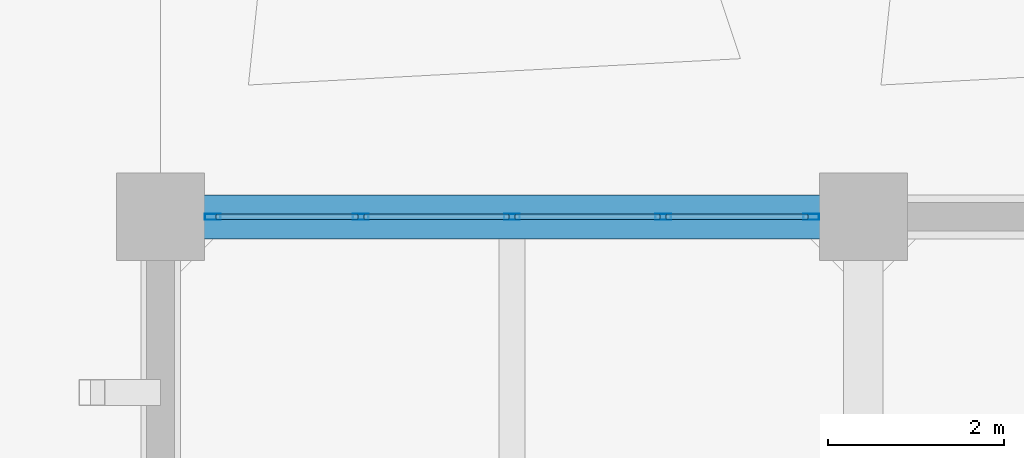
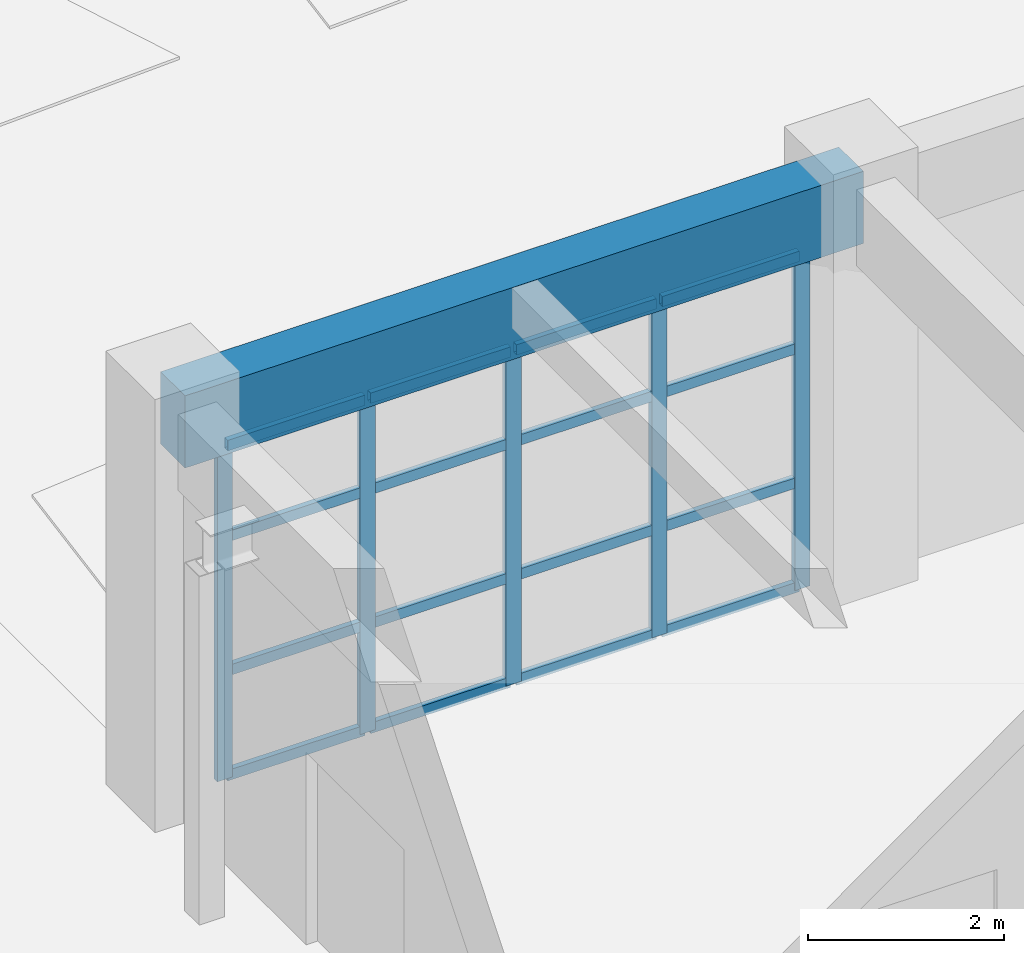
# One storey, part 52 of 90: 21 members, 1 beam, 1 element without a shape of its own.
"""IFC4 building model written with IfcOpenShell, lengths in metres."""

from ifc_helpers import new_model, si_unit, direction, frame, origin, origin_2d, place, context, subcontext, project, spatial, rectangle, hollow_rectangle, extrude, material, layer, layer_set, material_profile, profile_set, type_object, element, aggregate, save


model = new_model("IFC4")

# Units and contexts
model_context = context("Model", 3, precision=1e-05, world=origin(), true_north=direction((0.0, 1.0)))
body_context = subcontext(model_context, "Body", "Model", "MODEL_VIEW")
ifc_project = project(units=[si_unit("LENGTHUNIT", "METRE"), si_unit("AREAUNIT", "SQUARE_METRE"), si_unit("VOLUMEUNIT", "CUBIC_METRE"), si_unit("PLANEANGLEUNIT", "RADIAN"), si_unit("MASSUNIT", "GRAM", prefix="KILO")], contexts=[model_context])

# Site, building, storey
site_placement = place(None, origin())
site = spatial("IfcSite", under=ifc_project, at=site_placement, CompositionType="ELEMENT")
building_placement = place(site_placement, origin())
building = spatial("IfcBuilding", under=site, at=building_placement, Name="Canggui Botanical Conservatory", CompositionType="ELEMENT")
storey_placement = place(building_placement, origin())
storey = spatial("IfcBuildingStorey", under=building, at=storey_placement, Name="L01", CompositionType="ELEMENT", Elevation=0.0)

# Beam
ifc_material_1 = material(Name="Concrete C35", Category="concrete")
ifc_material_profile_1 = material_profile(ifc_material_1, rectangle(XDim=0.5, YDim=0.89990234375, at=origin_2d()), Name="RB 500x900")
ifc_profile_set_1 = profile_set([ifc_material_profile_1], Name="Concrete C35")
beam_type = type_object("IfcBeamType", Name="BM-KL03", PredefinedType="BEAM", material=ifc_profile_set_1)
beam_placement = place(storey_placement, frame((130.0, 82.0, 4.669921875), z_axis=(1.0, 0.0, 0.0), x_axis=(0.0, 1.0, 0.0)))
element("IfcBeam", 1, at=beam_placement, inside=storey, type_object=beam_type, Name="Frame Girder L01 Y82-1", PredefinedType="BEAM", context=body_context, shape_type="SweptSolid", body=[
    extrude(rectangle(XDim=0.5, YDim=0.89990234375, at=origin_2d()), origin(), (0.0, 0.0, 1.0), 8.0),
])

# Curtain wall, members
ifc_material_2 = material(Name="Thermally Broken Aluminium", Category="aluminium")
ifc_layer = layer(ifc_material_2, 0.179931640625, Name="Thermally Broken Aluminium", Category="aluminium")
ifc_layer_set = layer_set([ifc_layer], Name="Thermally Broken Aluminium")
curtain_wall_type = type_object("IfcCurtainWallType", Name="CW-UNIT-A", PredefinedType="USERDEFINED", material=ifc_layer_set)
curtain_wall_placement = place(storey_placement, origin())
curtain_wall = element("IfcCurtainWall", 2, at=curtain_wall_placement, inside=storey, type_object=curtain_wall_type, Name="Facade Curtain Wall CW-TWR-L01-11", ObjectType="UNITISED CURTAIN WALL", PredefinedType="USERDEFINED")
ifc_material_profile_2 = material_profile(ifc_material_2, hollow_rectangle(XDim=0.070068359375, YDim=0.179931640625, WallThickness=0.00390625, at=origin_2d()), Name="CWM 70x180x4")
ifc_profile_set_2 = profile_set([ifc_material_profile_2], Name="Thermally Broken Aluminium")
member_type_1 = type_object("IfcMemberType", Name="CWM-01", PredefinedType="MULLION", material=ifc_profile_set_2)
member_1_placement = place(storey_placement, frame((130.594970703125, 82.0, 0.0), z_axis=(0.0, 0.0, 1.0), x_axis=(0.0, 1.0, 0.0)))
member_1 = element("IfcMember", 3, at=member_1_placement, type_object=member_type_1, Name="CW-01 mullion 1", PredefinedType="MULLION", context=body_context, shape_type="SweptSolid", body=[
    extrude(hollow_rectangle(XDim=0.070068359375, YDim=0.179931640625, WallThickness=0.00390625, at=origin_2d()), origin(), (0.0, 0.0, 1.0), 4.179931640625),
])
member_2_placement = place(storey_placement, frame((132.280029296875, 82.0, 0.0), z_axis=(0.0, 0.0, 1.0), x_axis=(0.0, 1.0, 0.0)))
member_2 = element("IfcMember", 4, at=member_2_placement, type_object=member_type_1, Name="CW-01 mullion 2", PredefinedType="MULLION", context=body_context, shape_type="SweptSolid", body=[
    extrude(hollow_rectangle(XDim=0.070068359375, YDim=0.179931640625, WallThickness=0.00390625, at=origin_2d()), origin(), (0.0, 0.0, 1.0), 4.179931640625),
])
member_3_placement = place(storey_placement, frame((134.0, 82.0, 0.0), z_axis=(0.0, 0.0, 1.0), x_axis=(0.0, 1.0, 0.0)))
member_3 = element("IfcMember", 5, at=member_3_placement, type_object=member_type_1, Name="CW-01 mullion 3", PredefinedType="MULLION", context=body_context, shape_type="SweptSolid", body=[
    extrude(hollow_rectangle(XDim=0.070068359375, YDim=0.179931640625, WallThickness=0.00390625, at=origin_2d()), origin(), (0.0, 0.0, 1.0), 4.179931640625),
])
member_4_placement = place(storey_placement, frame((135.719970703125, 82.0, 0.0), z_axis=(0.0, 0.0, 1.0), x_axis=(0.0, 1.0, 0.0)))
member_4 = element("IfcMember", 6, at=member_4_placement, type_object=member_type_1, Name="CW-01 mullion 4", PredefinedType="MULLION", context=body_context, shape_type="SweptSolid", body=[
    extrude(hollow_rectangle(XDim=0.070068359375, YDim=0.179931640625, WallThickness=0.00390625, at=origin_2d()), origin(), (0.0, 0.0, 1.0), 4.179931640625),
])
member_5_placement = place(storey_placement, frame((137.405029296875, 82.0, 0.0), z_axis=(0.0, 0.0, 1.0), x_axis=(0.0, 1.0, 0.0)))
member_5 = element("IfcMember", 7, at=member_5_placement, type_object=member_type_1, Name="CW-01 mullion 5", PredefinedType="MULLION", context=body_context, shape_type="SweptSolid", body=[
    extrude(hollow_rectangle(XDim=0.070068359375, YDim=0.179931640625, WallThickness=0.00390625, at=origin_2d()), origin(), (0.0, 0.0, 1.0), 4.179931640625),
])
ifc_material_profile_3 = material_profile(ifc_material_2, hollow_rectangle(XDim=0.06494140625, YDim=0.1298828125, WallThickness=0.00341796875, at=origin_2d()), Name="CWT 65x130x3.5")
ifc_profile_set_3 = profile_set([ifc_material_profile_3], Name="Thermally Broken Aluminium")
member_type_2 = type_object("IfcMemberType", Name="CWT-01", PredefinedType="USERDEFINED", material=ifc_profile_set_3)
member_6_placement = place(storey_placement, frame((130.6298828125, 82.0, 0.032470703125), z_axis=(1.0, 0.0, 0.0), x_axis=(0.0, 1.0, 0.0)))
member_6 = element("IfcMember", 8, at=member_6_placement, type_object=member_type_2, Name="CW-01 transom 1.1", ObjectType="TRANSOM", PredefinedType="USERDEFINED", context=body_context, shape_type="SweptSolid", body=[
    extrude(hollow_rectangle(XDim=0.06494140625, YDim=0.1298828125, WallThickness=0.00341796875, at=origin_2d()), origin(), (0.0, 0.0, 1.0), 1.615234375),
])
member_7_placement = place(storey_placement, frame((130.6298828125, 82.0, 1.337646484375), z_axis=(1.0, 0.0, 0.0), x_axis=(0.0, 1.0, 0.0)))
member_7 = element("IfcMember", 9, at=member_7_placement, type_object=member_type_2, Name="CW-01 transom 1.2", ObjectType="TRANSOM", PredefinedType="USERDEFINED", context=body_context, shape_type="SweptSolid", body=[
    extrude(hollow_rectangle(XDim=0.06494140625, YDim=0.1298828125, WallThickness=0.00341796875, at=origin_2d()), origin(), (0.0, 0.0, 1.0), 1.615234375),
])
member_8_placement = place(storey_placement, frame((130.6298828125, 82.0, 3.009521484375), z_axis=(1.0, 0.0, 0.0), x_axis=(0.0, 1.0, 0.0)))
member_8 = element("IfcMember", 10, at=member_8_placement, type_object=member_type_2, Name="CW-01 transom 1.3", ObjectType="TRANSOM", PredefinedType="USERDEFINED", context=body_context, shape_type="SweptSolid", body=[
    extrude(hollow_rectangle(XDim=0.06494140625, YDim=0.1298828125, WallThickness=0.00341796875, at=origin_2d()), origin(), (0.0, 0.0, 1.0), 1.615234375),
])
member_9_placement = place(storey_placement, frame((130.6298828125, 82.0, 4.1474609375), z_axis=(1.0, 0.0, 0.0), x_axis=(0.0, 1.0, 0.0)))
member_9 = element("IfcMember", 11, at=member_9_placement, type_object=member_type_2, Name="CW-01 transom 1.4", ObjectType="TRANSOM", PredefinedType="USERDEFINED", context=body_context, shape_type="SweptSolid", body=[
    extrude(hollow_rectangle(XDim=0.06494140625, YDim=0.1298828125, WallThickness=0.00341796875, at=origin_2d()), origin(), (0.0, 0.0, 1.0), 1.615234375),
])
member_10_placement = place(storey_placement, frame((132.31494140625, 82.0, 0.032470703125), z_axis=(1.0, 0.0, 0.0), x_axis=(0.0, 1.0, 0.0)))
member_10 = element("IfcMember", 12, at=member_10_placement, type_object=member_type_2, Name="CW-01 transom 2.1", ObjectType="TRANSOM", PredefinedType="USERDEFINED", context=body_context, shape_type="SweptSolid", body=[
    extrude(hollow_rectangle(XDim=0.06494140625, YDim=0.1298828125, WallThickness=0.00341796875, at=origin_2d()), origin(), (0.0, 0.0, 1.0), 1.650146484375),
])
member_11_placement = place(storey_placement, frame((132.31494140625, 82.0, 1.337646484375), z_axis=(1.0, 0.0, 0.0), x_axis=(0.0, 1.0, 0.0)))
member_11 = element("IfcMember", 13, at=member_11_placement, type_object=member_type_2, Name="CW-01 transom 2.2", ObjectType="TRANSOM", PredefinedType="USERDEFINED", context=body_context, shape_type="SweptSolid", body=[
    extrude(hollow_rectangle(XDim=0.06494140625, YDim=0.1298828125, WallThickness=0.00341796875, at=origin_2d()), origin(), (0.0, 0.0, 1.0), 1.650146484375),
])
member_12_placement = place(storey_placement, frame((132.31494140625, 82.0, 3.009521484375), z_axis=(1.0, 0.0, 0.0), x_axis=(0.0, 1.0, 0.0)))
member_12 = element("IfcMember", 14, at=member_12_placement, type_object=member_type_2, Name="CW-01 transom 2.3", ObjectType="TRANSOM", PredefinedType="USERDEFINED", context=body_context, shape_type="SweptSolid", body=[
    extrude(hollow_rectangle(XDim=0.06494140625, YDim=0.1298828125, WallThickness=0.00341796875, at=origin_2d()), origin(), (0.0, 0.0, 1.0), 1.650146484375),
])
member_13_placement = place(storey_placement, frame((132.31494140625, 82.0, 4.1474609375), z_axis=(1.0, 0.0, 0.0), x_axis=(0.0, 1.0, 0.0)))
member_13 = element("IfcMember", 15, at=member_13_placement, type_object=member_type_2, Name="CW-01 transom 2.4", ObjectType="TRANSOM", PredefinedType="USERDEFINED", context=body_context, shape_type="SweptSolid", body=[
    extrude(hollow_rectangle(XDim=0.06494140625, YDim=0.1298828125, WallThickness=0.00341796875, at=origin_2d()), origin(), (0.0, 0.0, 1.0), 1.650146484375),
])
member_14_placement = place(storey_placement, frame((134.034912109375, 82.0, 0.032470703125), z_axis=(1.0, 0.0, 0.0), x_axis=(0.0, 1.0, 0.0)))
member_14 = element("IfcMember", 16, at=member_14_placement, type_object=member_type_2, Name="CW-01 transom 3.1", ObjectType="TRANSOM", PredefinedType="USERDEFINED", context=body_context, shape_type="SweptSolid", body=[
    extrude(hollow_rectangle(XDim=0.06494140625, YDim=0.1298828125, WallThickness=0.00341796875, at=origin_2d()), origin(), (0.0, 0.0, 1.0), 1.650146484375),
])
member_15_placement = place(storey_placement, frame((134.034912109375, 82.0, 1.337646484375), z_axis=(1.0, 0.0, 0.0), x_axis=(0.0, 1.0, 0.0)))
member_15 = element("IfcMember", 17, at=member_15_placement, type_object=member_type_2, Name="CW-01 transom 3.2", ObjectType="TRANSOM", PredefinedType="USERDEFINED", context=body_context, shape_type="SweptSolid", body=[
    extrude(hollow_rectangle(XDim=0.06494140625, YDim=0.1298828125, WallThickness=0.00341796875, at=origin_2d()), origin(), (0.0, 0.0, 1.0), 1.650146484375),
])
member_16_placement = place(storey_placement, frame((134.034912109375, 82.0, 3.009521484375), z_axis=(1.0, 0.0, 0.0), x_axis=(0.0, 1.0, 0.0)))
member_16 = element("IfcMember", 18, at=member_16_placement, type_object=member_type_2, Name="CW-01 transom 3.3", ObjectType="TRANSOM", PredefinedType="USERDEFINED", context=body_context, shape_type="SweptSolid", body=[
    extrude(hollow_rectangle(XDim=0.06494140625, YDim=0.1298828125, WallThickness=0.00341796875, at=origin_2d()), origin(), (0.0, 0.0, 1.0), 1.650146484375),
])
member_17_placement = place(storey_placement, frame((134.034912109375, 82.0, 4.1474609375), z_axis=(1.0, 0.0, 0.0), x_axis=(0.0, 1.0, 0.0)))
member_17 = element("IfcMember", 19, at=member_17_placement, type_object=member_type_2, Name="CW-01 transom 3.4", ObjectType="TRANSOM", PredefinedType="USERDEFINED", context=body_context, shape_type="SweptSolid", body=[
    extrude(hollow_rectangle(XDim=0.06494140625, YDim=0.1298828125, WallThickness=0.00341796875, at=origin_2d()), origin(), (0.0, 0.0, 1.0), 1.650146484375),
])
member_18_placement = place(storey_placement, frame((135.7548828125, 82.0, 0.032470703125), z_axis=(1.0, 0.0, 0.0), x_axis=(0.0, 1.0, 0.0)))
member_18 = element("IfcMember", 20, at=member_18_placement, type_object=member_type_2, Name="CW-01 transom 4.1", ObjectType="TRANSOM", PredefinedType="USERDEFINED", context=body_context, shape_type="SweptSolid", body=[
    extrude(hollow_rectangle(XDim=0.06494140625, YDim=0.1298828125, WallThickness=0.00341796875, at=origin_2d()), origin(), (0.0, 0.0, 1.0), 1.615234375),
])
member_19_placement = place(storey_placement, frame((135.7548828125, 82.0, 1.337646484375), z_axis=(1.0, 0.0, 0.0), x_axis=(0.0, 1.0, 0.0)))
member_19 = element("IfcMember", 21, at=member_19_placement, type_object=member_type_2, Name="CW-01 transom 4.2", ObjectType="TRANSOM", PredefinedType="USERDEFINED", context=body_context, shape_type="SweptSolid", body=[
    extrude(hollow_rectangle(XDim=0.06494140625, YDim=0.1298828125, WallThickness=0.00341796875, at=origin_2d()), origin(), (0.0, 0.0, 1.0), 1.615234375),
])
member_20_placement = place(storey_placement, frame((135.7548828125, 82.0, 3.009521484375), z_axis=(1.0, 0.0, 0.0), x_axis=(0.0, 1.0, 0.0)))
member_20 = element("IfcMember", 22, at=member_20_placement, type_object=member_type_2, Name="CW-01 transom 4.3", ObjectType="TRANSOM", PredefinedType="USERDEFINED", context=body_context, shape_type="SweptSolid", body=[
    extrude(hollow_rectangle(XDim=0.06494140625, YDim=0.1298828125, WallThickness=0.00341796875, at=origin_2d()), origin(), (0.0, 0.0, 1.0), 1.615234375),
])
member_21_placement = place(storey_placement, frame((135.7548828125, 82.0, 4.1474609375), z_axis=(1.0, 0.0, 0.0), x_axis=(0.0, 1.0, 0.0)))
member_21 = element("IfcMember", 23, at=member_21_placement, type_object=member_type_2, Name="CW-01 transom 4.4", ObjectType="TRANSOM", PredefinedType="USERDEFINED", context=body_context, shape_type="SweptSolid", body=[
    extrude(hollow_rectangle(XDim=0.06494140625, YDim=0.1298828125, WallThickness=0.00341796875, at=origin_2d()), origin(), (0.0, 0.0, 1.0), 1.615234375),
])
aggregate(curtain_wall, [member_1, member_2, member_3, member_4, member_5, member_6, member_7, member_8, member_9, member_10, member_11, member_12, member_13, member_14, member_15, member_16, member_17, member_18, member_19, member_20, member_21])

save(model, "model.ifc")
